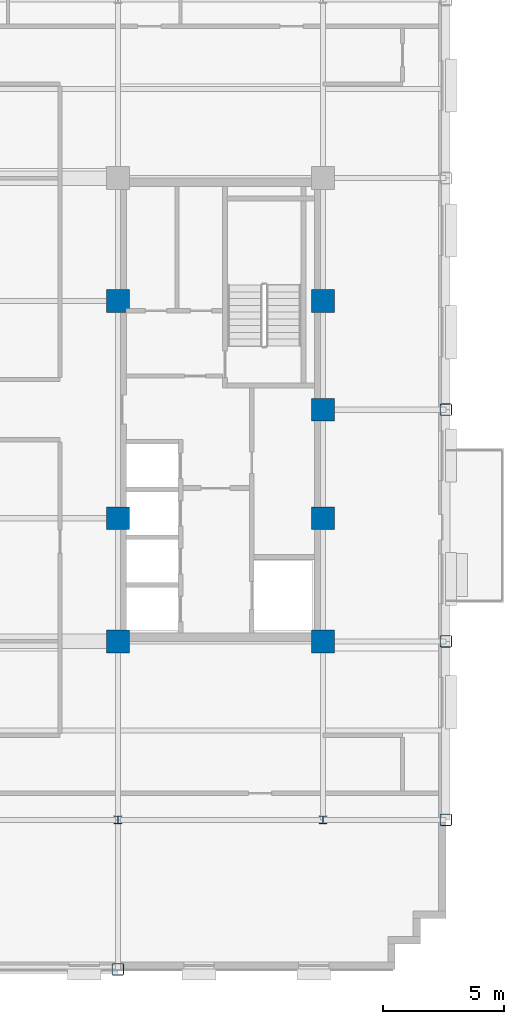
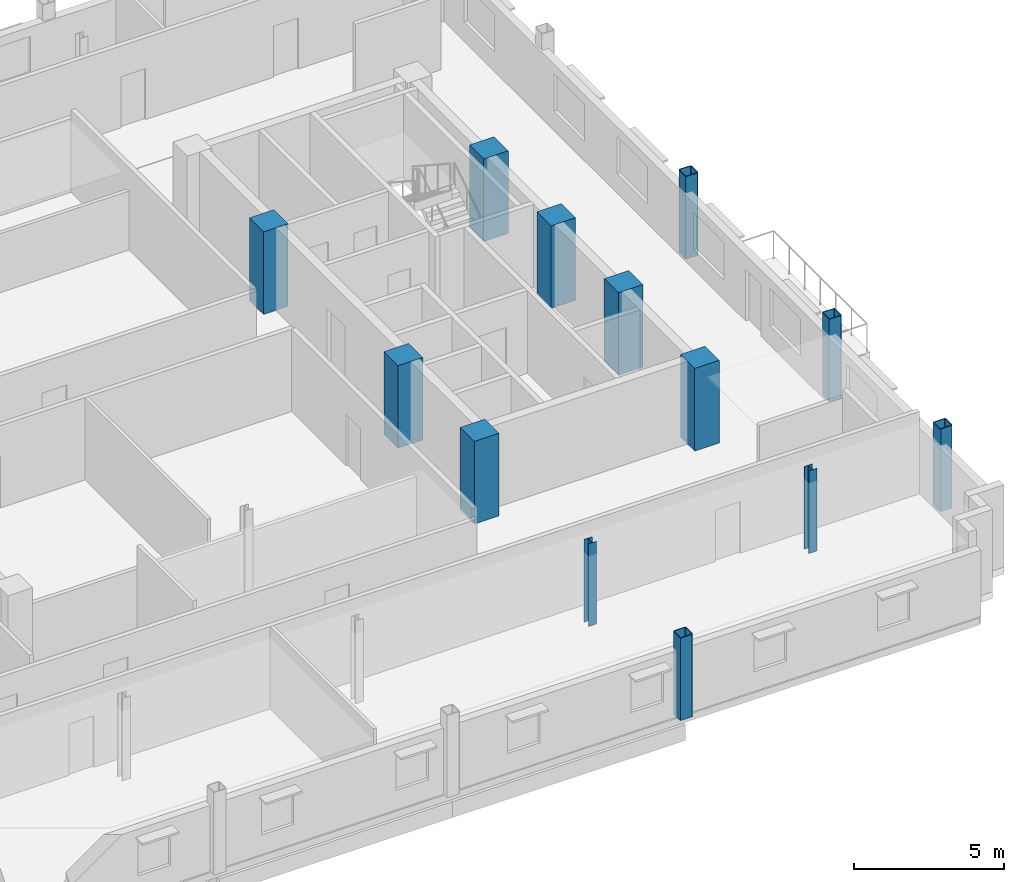
# One storey, part 2 of 15: 13 columns.
"""IFC4 building model written with IfcOpenShell, lengths in metres."""

from ifc_helpers import new_model, si_unit, direction, frame, origin, origin_2d, place, context, subcontext, project, spatial, rectangle, hollow_rectangle, i_section, extrude, material, material_profile, profile_set, type_object, element, save


model = new_model("IFC4")

# Units and contexts
model_context = context("Model", 3, precision=1e-05, world=origin(), true_north=direction((0.0, 1.0)))
body_context = subcontext(model_context, "Body", "Model", "MODEL_VIEW")
ifc_project = project(units=[si_unit("LENGTHUNIT", "METRE"), si_unit("AREAUNIT", "SQUARE_METRE"), si_unit("VOLUMEUNIT", "CUBIC_METRE"), si_unit("PLANEANGLEUNIT", "RADIAN"), si_unit("MASSUNIT", "GRAM", prefix="KILO")], contexts=[model_context])

# Site, building, storey
site_placement = place(None, origin())
site = spatial("IfcSite", under=ifc_project, at=site_placement, CompositionType="ELEMENT")
building_placement = place(site_placement, origin())
building = spatial("IfcBuilding", under=site, at=building_placement, Name="Nuvemarco Arch Tower", CompositionType="ELEMENT")
storey_placement = place(building_placement, frame((0.0, 0.0, 201.85009765625)))
storey = spatial("IfcBuildingStorey", under=building, at=storey_placement, Name="L53", CompositionType="ELEMENT", Elevation=201.85009765625)

# Columns
ifc_material_1 = material(Name="Concrete C50/60", Category="concrete")
ifc_material_profile_1 = material_profile(ifc_material_1, rectangle(XDim=0.949951171875, YDim=0.949951171875, at=origin_2d()), Name="RC-COL-950x950")
ifc_profile_set_1 = profile_set([ifc_material_profile_1], Name="Concrete C50/60")
column_type_1 = type_object("IfcColumnType", Name="COL-CORE-950", PredefinedType="COLUMN", material=ifc_profile_set_1)
for number, where, z_axis, x_axis, name in (
    (1, (9.0, -9.60009765625, 0.0), (0.0, 0.0, 1.0), (1.0, 0.0, 0.0), "L53 column CC_+9.0_-9.6"),
    (2, (9.0, -4.5, 0.0), (0.0, 0.0, 1.0), (1.0, 0.0, 0.0), "L53 column CC_+9.0_-4.5"),
    (3, (9.0, 4.5, 0.0), (0.0, 0.0, 1.0), (1.0, 0.0, 0.0), "L53 column CC_+9.0_+4.5"),
    (4, (17.5, -9.60009765625, 0.0), (0.0, 0.0, 1.0), (1.0, 0.0, 0.0), "L53 column CC_+17.5_-9.6"),
    (5, (17.5, -4.5, 0.0), (0.0, 0.0, 1.0), (1.0, 0.0, 0.0), "L53 column CC_+17.5_-4.5"),
    (6, (17.5, 4.5, 0.0), (0.0, 0.0, 1.0), (1.0, 0.0, 0.0), "L53 column CC_+17.5_+4.5"),
    (7, (17.5, 0.0, 0.0), (0.0, 0.0, 1.0), (1.0, 0.0, 0.0), "L53 column CC_+17.5_+0.0"),
):
    element("IfcColumn", number, at=place(storey_placement, frame(where, z_axis=z_axis, x_axis=x_axis)), inside=storey, type_object=column_type_1, Name=name, PredefinedType="COLUMN", context=body_context, shape_type="SweptSolid", body=[
        extrude(rectangle(XDim=0.949951171875, YDim=0.949951171875, at=origin_2d()), origin(), (0.0, 0.0, 1.0), 3.369873046875),
    ])
ifc_material_2 = material(Name="Steel S355", Category="steel")
ifc_material_profile_2 = material_profile(ifc_material_2, hollow_rectangle(XDim=0.5, YDim=0.5, WallThickness=0.031982421875, InnerFilletRadius=0.031982421875, OuterFilletRadius=0.06396484375, at=origin_2d()), Name="SHS500x500x32")
ifc_profile_set_2 = profile_set([ifc_material_profile_2], Name="Steel S355")
column_type_2 = type_object("IfcColumnType", Name="COL-EXO-500", PredefinedType="COLUMN", material=ifc_profile_set_2)
for number, where, z_axis, x_axis, name in (
    (8, (22.60009765625, -17.0, 0.0), (0.0, 0.0, 1.0), (1.0, 0.0, 0.0), "L53 column CX_+22.6_-17.0"),
    (9, (22.60009765625, -9.60009765625, 0.0), (0.0, 0.0, 1.0), (1.0, 0.0, 0.0), "L53 column CX_+22.6_-9.6"),
    (10, (22.60009765625, 0.0, 0.0), (0.0, 0.0, 1.0), (1.0, 0.0, 0.0), "L53 column CX_+22.6_+0.0"),
    (11, (9.0, -23.199951171875, 0.0), (0.0, 0.0, 1.0), (1.0, 0.0, 0.0), "L53 column CY_+9.0_-23.2"),
):
    element("IfcColumn", number, at=place(storey_placement, frame(where, z_axis=z_axis, x_axis=x_axis)), inside=storey, type_object=column_type_2, Name=name, PredefinedType="COLUMN", context=body_context, shape_type="SweptSolid", body=[
        extrude(hollow_rectangle(XDim=0.5, YDim=0.5, WallThickness=0.031982421875, InnerFilletRadius=0.031982421875, OuterFilletRadius=0.06396484375, at=origin_2d()), origin(), (0.0, 0.0, 1.0), 3.369873046875),
    ])
ifc_material_profile_3 = material_profile(ifc_material_2, i_section(OverallWidth=0.31005859375, OverallDepth=0.31005859375, WebThickness=0.015380859375, FlangeThickness=0.015380859375, FilletRadius=0.014892578125, at=origin_2d()), Name="HP310x110")
ifc_profile_set_3 = profile_set([ifc_material_profile_3], Name="Steel S355")
column_type_3 = type_object("IfcColumnType", Name="COL-STL-HP310", PredefinedType="COLUMN", material=ifc_profile_set_3)
for number, where, z_axis, x_axis, name in (
    (12, (9.0, -17.0, 0.0), (0.0, 0.0, 1.0), (1.0, 0.0, 0.0), "L53 column CI_+9.0_-17.0"),
    (13, (17.5, -17.0, 0.0), (0.0, 0.0, 1.0), (1.0, 0.0, 0.0), "L53 column CI_+17.5_-17.0"),
):
    element("IfcColumn", number, at=place(storey_placement, frame(where, z_axis=z_axis, x_axis=x_axis)), inside=storey, type_object=column_type_3, Name=name, PredefinedType="COLUMN", context=body_context, shape_type="SweptSolid", body=[
        extrude(i_section(OverallWidth=0.31005859375, OverallDepth=0.31005859375, WebThickness=0.015380859375, FlangeThickness=0.015380859375, FilletRadius=0.014892578125, at=origin_2d()), origin(), (0.0, 0.0, 1.0), 3.369873046875),
    ])

save(model, "model.ifc")
